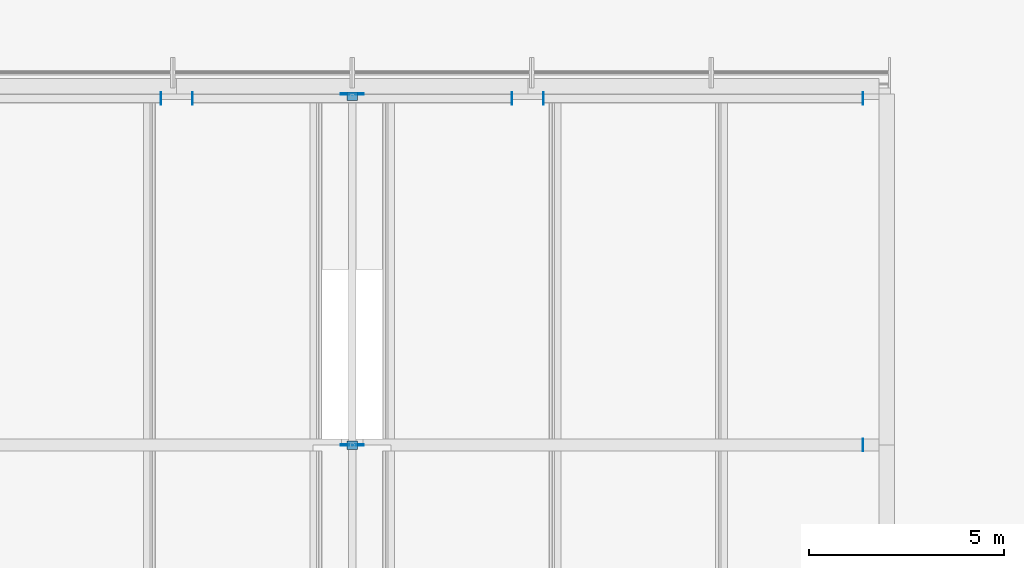
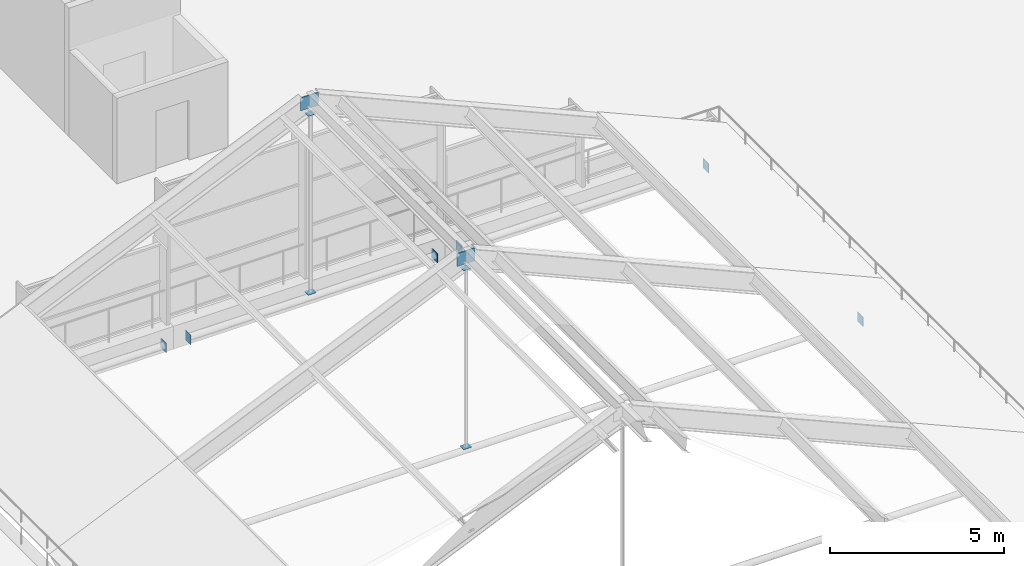
# One storey, part 95 of 106: 14 discrete accessories.
"""IFC4 building model written with IfcOpenShell, lengths in metres."""

from ifc_helpers import new_model, si_unit, direction, frame, origin, origin_2d, place, context, subcontext, project, spatial, rectangle, extrude, material, material_profile, profile_set, type_object, element, save


model = new_model("IFC4")

# Units and contexts
model_context = context("Model", 3, precision=1e-05, world=origin(), true_north=direction((0.0, 1.0)))
body_context = subcontext(model_context, "Body", "Model", "MODEL_VIEW")
ifc_project = project(units=[si_unit("LENGTHUNIT", "METRE"), si_unit("AREAUNIT", "SQUARE_METRE"), si_unit("VOLUMEUNIT", "CUBIC_METRE"), si_unit("PLANEANGLEUNIT", "RADIAN"), si_unit("MASSUNIT", "GRAM", prefix="KILO")], contexts=[model_context])

# Site, building, storey
site_placement = place(None, origin())
site = spatial("IfcSite", under=ifc_project, at=site_placement, CompositionType="ELEMENT")
building_placement = place(site_placement, origin())
building = spatial("IfcBuilding", under=site, at=building_placement, Name="Guidao Yard Department Store", CompositionType="ELEMENT")
storey_placement = place(building_placement, frame((0.0, 0.0, 10.5)))
storey = spatial("IfcBuildingStorey", under=building, at=storey_placement, Name="L02", CompositionType="ELEMENT", Elevation=10.5)

# Discrete accessories
ifc_material_1 = material(Name="Steel Q355B", Category="steel")
ifc_material_profile_1 = material_profile(ifc_material_1, rectangle(XDim=0.011962890625, YDim=0.449951171875, at=origin_2d()), Name="Splice plate 450x12")
ifc_profile_set_1 = profile_set([ifc_material_profile_1], Name="Steel Q355B")
discrete_accessory_type_1 = type_object("IfcDiscreteAccessoryType", Name="Rib splice plate SP2 steel", PredefinedType="BRACKET", material=ifc_profile_set_1)
for number, where, z_axis, x_axis, name in (
    (1, (139.199951171875, 80.987548828125, 6.3203125), (1.0, 0.0, 0.0), (0.0, 1.0, 0.0), "Rib splice plate F04-01A"),
    (2, (139.199951171875, 81.012451171875, 6.3203125), (1.0, 0.0, 0.0), (0.0, 1.0, 0.0), "Rib splice plate F04-01B"),
    (3, (139.199951171875, 89.987548828125, 6.3203125), (1.0, 0.0, 0.0), (0.0, 1.0, 0.0), "Rib splice plate F05-01A"),
    (4, (139.199951171875, 90.012451171875, 6.3203125), (1.0, 0.0, 0.0), (0.0, 1.0, 0.0), "Rib splice plate F05-01B"),
):
    element("IfcDiscreteAccessory", number, at=place(storey_placement, frame(where, z_axis=z_axis, x_axis=x_axis)), inside=storey, type_object=discrete_accessory_type_1, Name=name, PredefinedType="BRACKET", context=body_context, shape_type="SweptSolid", body=[
        extrude(rectangle(XDim=0.011962890625, YDim=0.449951171875, at=origin_2d()), origin(), (0.0, 0.0, 1.0), 0.60009765625),
    ])
ifc_material_2 = material(Name="Steel Q355B", Category="steel")
ifc_material_profile_2 = material_profile(ifc_material_2, rectangle(XDim=0.327880859375, YDim=0.011962890625, at=origin_2d()), Name="Node plate 328x12")
ifc_profile_set_2 = profile_set([ifc_material_profile_2], Name="Steel Q355B")
discrete_accessory_type_2 = type_object("IfcDiscreteAccessoryType", Name="Tie end plate NP3 328 steel", PredefinedType="BRACKET", material=ifc_profile_set_2)
discrete_accessory_1_placement = place(storey_placement, frame((152.593994140625, 80.8359375, -0.449951171875), z_axis=(0.0, 1.0, 0.0), x_axis=(0.0, 0.0, 1.0)))
element("IfcDiscreteAccessory", 5, at=discrete_accessory_1_placement, inside=storey, type_object=discrete_accessory_type_2, Name="Tie end plate F04R", PredefinedType="BRACKET", context=body_context, shape_type="SweptSolid", body=[
    extrude(rectangle(XDim=0.327880859375, YDim=0.011962890625, at=origin_2d()), origin(), (0.0, 0.0, 1.0), 0.328125),
])
for number, where, z_axis, x_axis, name in (
    (6, (134.593994140625, 89.716064453125, -0.449951171875), (0.0, 1.0, 0.0), (0.0, 0.0, 1.0), "Tie end plate F05-1R"),
    (7, (135.406005859375, 89.716064453125, -0.449951171875), (0.0, 1.0, 0.0), (0.0, 0.0, 1.0), "Tie end plate F05-2L"),
    (8, (143.593994140625, 89.716064453125, -0.449951171875), (0.0, 1.0, 0.0), (0.0, 0.0, 1.0), "Tie end plate F05-2R"),
    (9, (144.406005859375, 89.716064453125, -0.449951171875), (0.0, 1.0, 0.0), (0.0, 0.0, 1.0), "Tie end plate F05-3L"),
    (10, (152.593994140625, 89.716064453125, -0.449951171875), (0.0, 1.0, 0.0), (0.0, 0.0, 1.0), "Tie end plate F05-3R"),
):
    element("IfcDiscreteAccessory", number, at=place(storey_placement, frame(where, z_axis=z_axis, x_axis=x_axis)), inside=storey, type_object=discrete_accessory_type_2, Name=name, PredefinedType="BRACKET", context=body_context, shape_type="SweptSolid", body=[
        extrude(rectangle(XDim=0.327880859375, YDim=0.011962890625, at=origin_2d()), origin(), (0.0, 0.0, 1.0), 0.327880859375),
    ])
ifc_material_3 = material(Name="Steel Q355B", Category="steel")
ifc_material_profile_3 = material_profile(ifc_material_3, rectangle(XDim=0.260009765625, YDim=0.011962890625, at=origin_2d()), Name="Node plate 260x12")
ifc_profile_set_3 = profile_set([ifc_material_profile_3], Name="Steel Q355B")
discrete_accessory_type_3 = type_object("IfcDiscreteAccessoryType", Name="Web foot plate NP2 steel", PredefinedType="BRACKET", material=ifc_profile_set_3)
discrete_accessory_2_placement = place(storey_placement, frame((139.5, 80.889892578125, -0.33447265625), z_axis=(0.0, 1.0, 0.0), x_axis=(-1.0, 0.0, 0.0)))
element("IfcDiscreteAccessory", 11, at=discrete_accessory_2_placement, inside=storey, type_object=discrete_accessory_type_3, Name="Web foot plate F04-01F", PredefinedType="BRACKET", context=body_context, shape_type="SweptSolid", body=[
    extrude(rectangle(XDim=0.260009765625, YDim=0.011962890625, at=origin_2d()), origin(), (0.0, 0.0, 1.0), 0.22021484375),
])
discrete_accessory_3_placement = place(storey_placement, frame((139.5, 89.830078125, -0.33447265625), z_axis=(0.0, 1.0, 0.0), x_axis=(-1.0, 0.0, 0.0)))
element("IfcDiscreteAccessory", 12, at=discrete_accessory_3_placement, inside=storey, type_object=discrete_accessory_type_3, Name="Web foot plate F05-01F", PredefinedType="BRACKET", context=body_context, shape_type="SweptSolid", body=[
    extrude(rectangle(XDim=0.260009765625, YDim=0.011962890625, at=origin_2d()), origin(), (0.0, 0.0, 1.0), 0.219970703125),
])
ifc_material_4 = material(Name="Steel Q355B", Category="steel")
ifc_material_profile_4 = material_profile(ifc_material_4, rectangle(XDim=0.260009765625, YDim=0.011962890625, at=origin_2d()), Name="Node plate 260x12")
ifc_profile_set_4 = profile_set([ifc_material_profile_4], Name="Steel Q355B")
discrete_accessory_type_4 = type_object("IfcDiscreteAccessoryType", Name="Web head plate NP1 steel", PredefinedType="BRACKET", material=ifc_profile_set_4)
discrete_accessory_4_placement = place(storey_placement, frame((139.5, 80.889892578125, 5.938232421875), z_axis=(0.0, 1.0, 0.0), x_axis=(-1.0, 0.0, 0.0)))
element("IfcDiscreteAccessory", 13, at=discrete_accessory_4_placement, inside=storey, type_object=discrete_accessory_type_4, Name="Web head plate F04-01H", PredefinedType="BRACKET", context=body_context, shape_type="SweptSolid", body=[
    extrude(rectangle(XDim=0.260009765625, YDim=0.011962890625, at=origin_2d()), origin(), (0.0, 0.0, 1.0), 0.22021484375),
])
discrete_accessory_5_placement = place(storey_placement, frame((139.5, 89.830078125, 5.938232421875), z_axis=(0.0, 1.0, 0.0), x_axis=(-1.0, 0.0, 0.0)))
element("IfcDiscreteAccessory", 14, at=discrete_accessory_5_placement, inside=storey, type_object=discrete_accessory_type_4, Name="Web head plate F05-01H", PredefinedType="BRACKET", context=body_context, shape_type="SweptSolid", body=[
    extrude(rectangle(XDim=0.260009765625, YDim=0.011962890625, at=origin_2d()), origin(), (0.0, 0.0, 1.0), 0.219970703125),
])

save(model, "model.ifc")
